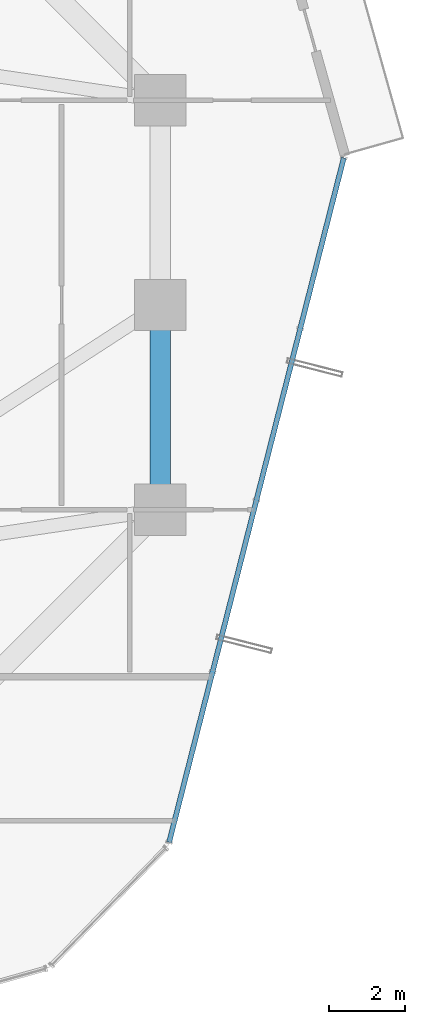
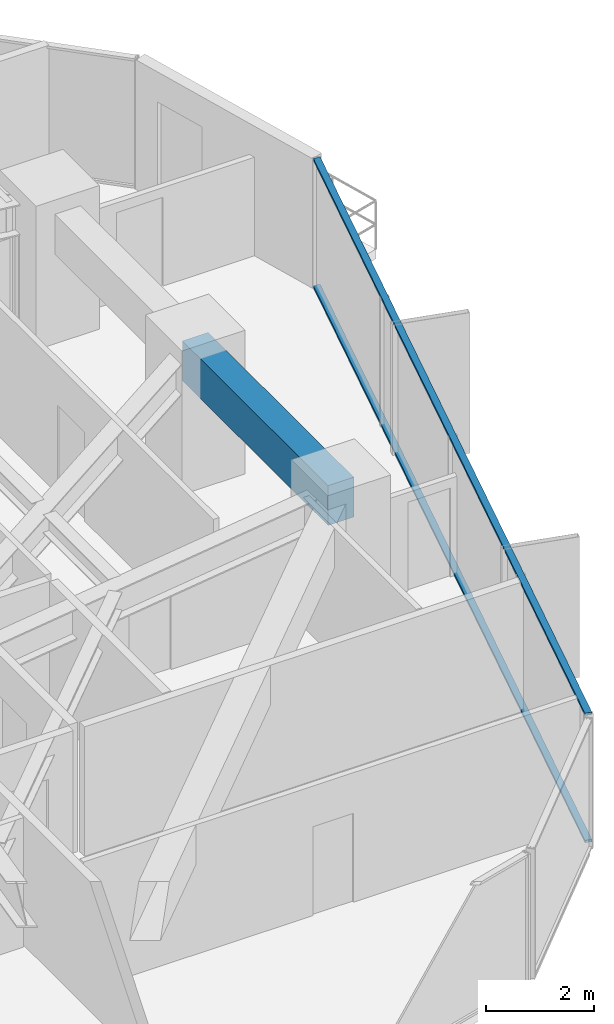
# One storey, part 18 of 39: 2 members, 1 beam, 1 element without a shape of its own.
"""IFC4 building model written with IfcOpenShell, lengths in metres."""

from ifc_helpers import new_model, si_unit, direction, frame, origin, origin_2d, place, context, subcontext, project, spatial, rectangle, hollow_rectangle, extrude, source, transform, mapped, material, layer, layer_set, material_profile, profile_set, type_object, element, aggregate, save


model = new_model("IFC4")

# Units and contexts
model_context = context("Model", 3, precision=1e-05, world=origin(), true_north=direction((0.0, 1.0)))
body_context = subcontext(model_context, "Body", "Model", "MODEL_VIEW")
ifc_project = project(units=[si_unit("LENGTHUNIT", "METRE"), si_unit("AREAUNIT", "SQUARE_METRE"), si_unit("VOLUMEUNIT", "CUBIC_METRE"), si_unit("PLANEANGLEUNIT", "RADIAN"), si_unit("MASSUNIT", "GRAM", prefix="KILO")], contexts=[model_context])

# Site, building, storey
site_placement = place(None, origin())
site = spatial("IfcSite", under=ifc_project, at=site_placement, CompositionType="ELEMENT")
building_placement = place(site_placement, origin())
building = spatial("IfcBuilding", under=site, at=building_placement, Name="Veraguas Prism Commons", CompositionType="ELEMENT")
storey_placement = place(building_placement, frame((0.0, 0.0, 77.10009765625)))
storey = spatial("IfcBuildingStorey", under=building, at=storey_placement, Name="L21", CompositionType="ELEMENT", Elevation=77.10009765625)

# Beam
ifc_material_1 = material(Name="Concrete C50/60", Category="concrete")
ifc_material_profile_1 = material_profile(ifc_material_1, rectangle(XDim=0.550048828125, YDim=0.89990234375, at=origin_2d()), Name="RC550X900")
ifc_profile_set_1 = profile_set([ifc_material_profile_1], Name="Concrete C50/60")
beam_type = type_object("IfcBeamType", Name="Perimeter Spandrel Lower RC 550x900", PredefinedType="SPANDREL", material=ifc_profile_set_1)
beam_placement = place(storey_placement, frame((41.60009765625, 18.60009765625, 2.47998046875), z_axis=(0.0, 1.0, 0.0), x_axis=(-1.0, 0.0, 0.0)))
element("IfcBeam", 1, at=beam_placement, inside=storey, type_object=beam_type, Name="Perimeter Spandrel Beam L21-SP01", PredefinedType="SPANDREL", context=body_context, shape_type="SweptSolid", body=[
    extrude(rectangle(XDim=0.550048828125, YDim=0.89990234375, at=origin_2d()), origin(), (0.0, 0.0, 1.0), 5.39990234375),
])

# Curtain wall, members
ifc_material_2 = material(Name="Anodised aluminium EN AW-6063 T6", Category="aluminium")
ifc_layer = layer(ifc_material_2, 0.169921875, Name="Unitised Flush Curtain Wall Zone 1", Category="aluminium")
ifc_layer_set = layer_set([ifc_layer], Name="Anodised aluminium EN AW-6063 T6")
curtain_wall_type = type_object("IfcCurtainWallType", Name="Unitised Flush Curtain Wall Zone 1", PredefinedType="NOTDEFINED", material=ifc_layer_set)
curtain_wall_placement = place(storey_placement, origin())
curtain_wall = element("IfcCurtainWall", 2, at=curtain_wall_placement, inside=storey, type_object=curtain_wall_type, Name="Tower Facade Curtain Wall L21-F6", PredefinedType="NOTDEFINED")
ifc_material_profile_2 = material_profile(ifc_material_2, hollow_rectangle(XDim=0.054931640625, YDim=0.135009765625, WallThickness=0.0029296875, at=origin_2d()), Name="AL55X135X3")
ifc_profile_set_2 = profile_set([ifc_material_profile_2], Name="Anodised aluminium EN AW-6063 T6")
member_type = type_object("IfcMemberType", Name="Curtain Wall Transom Standard AL 55x135x3", PredefinedType="USERDEFINED", material=ifc_profile_set_2)
shared_shape = source(origin(), body_context, "Body", "SweptSolid", [
    extrude(hollow_rectangle(XDim=0.054931640625, YDim=0.135009765625, WallThickness=0.0029296875, at=origin_2d()), origin(), (0.0, 0.0, 1.0), 18.623779296875),
])
member_1_placement = place(storey_placement, frame((41.835693359375, 9.836669921875, 0.02734375), z_axis=(0.247341349593, 0.968928406427, 0.0), x_axis=(0.0, 0.0, 1.0)))
member_1 = element("IfcMember", 3, at=member_1_placement, type_object=member_type, Name="CW-Z1 Transom 1", ObjectType="TRANSOM", PredefinedType="USERDEFINED", context=body_context, shape_type="MappedRepresentation", body=[
    mapped(shared_shape, transform((0.0, 0.0, 0.0), scale=1.0)),
])
member_2_placement = place(storey_placement, frame((41.835693359375, 9.836669921875, 2.90234375), z_axis=(0.247341349593, 0.968928406427, 0.0), x_axis=(0.0, 0.0, 1.0)))
member_2 = element("IfcMember", 4, at=member_2_placement, type_object=member_type, Name="CW-Z1 Transom 2", ObjectType="TRANSOM", PredefinedType="USERDEFINED", context=body_context, shape_type="MappedRepresentation", body=[
    mapped(shared_shape, transform((0.0, 0.0, 0.0), scale=1.0)),
])
aggregate(curtain_wall, [member_1, member_2])

save(model, "model.ifc")
